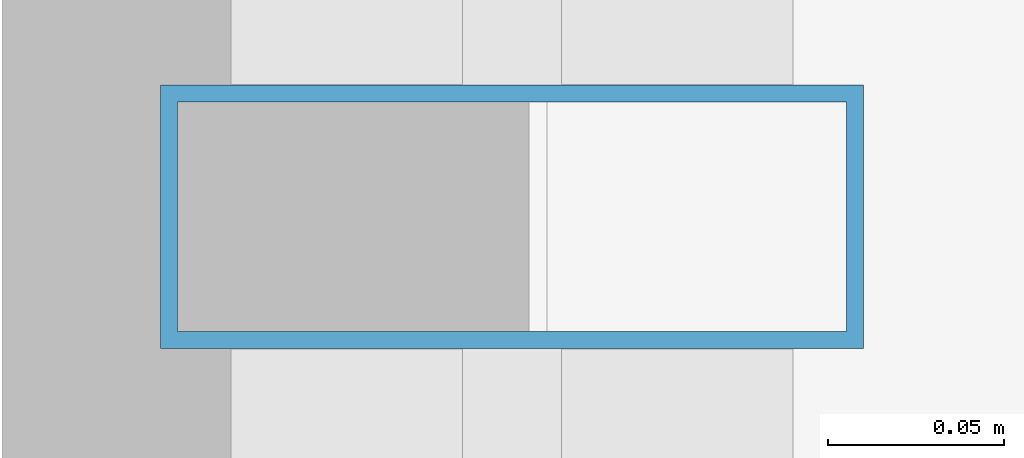
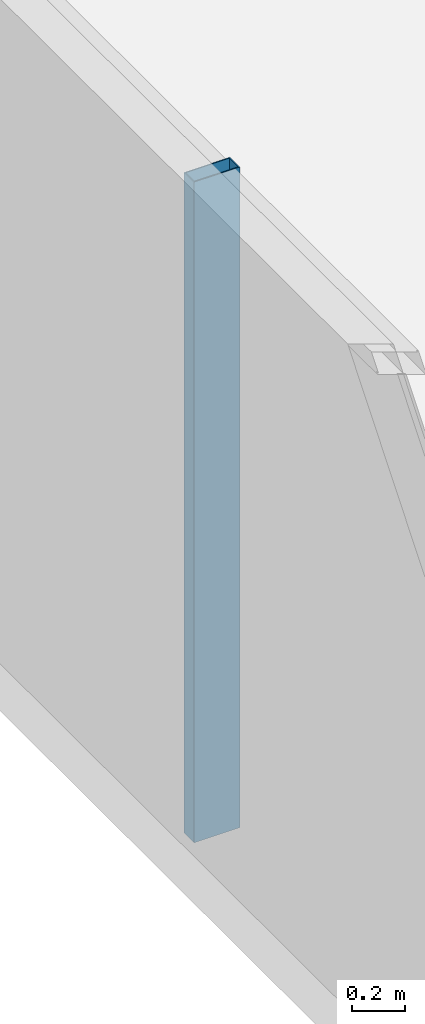
# One storey, part 10 of 30: 1 member, 1 element without a shape of its own.
"""IFC4 building model written with IfcOpenShell, lengths in metres."""

from ifc_helpers import new_model, si_unit, direction, frame, origin, origin_2d, place, context, subcontext, project, spatial, hollow_rectangle, extrude, source, transform, mapped, material, layer, layer_set, material_profile, profile_set, type_object, element, aggregate, save


model = new_model("IFC4")

# Units and contexts
model_context = context("Model", 3, precision=1e-05, world=origin(), true_north=direction((0.0, 1.0)))
body_context = subcontext(model_context, "Body", "Model", "MODEL_VIEW")
ifc_project = project(units=[si_unit("LENGTHUNIT", "METRE"), si_unit("AREAUNIT", "SQUARE_METRE"), si_unit("VOLUMEUNIT", "CUBIC_METRE"), si_unit("PLANEANGLEUNIT", "RADIAN"), si_unit("MASSUNIT", "GRAM", prefix="KILO")], contexts=[model_context])

# Site, building, storey
site_placement = place(None, origin())
site = spatial("IfcSite", under=ifc_project, at=site_placement, CompositionType="ELEMENT")
building_placement = place(site_placement, origin())
building = spatial("IfcBuilding", under=site, at=building_placement, Name="Zarnakvel Exchange Tower", CompositionType="ELEMENT")
storey_placement = place(building_placement, frame((0.0, 0.0, 30.699951171875)))
storey = spatial("IfcBuildingStorey", under=building, at=storey_placement, Name="L07", CompositionType="ELEMENT", Elevation=30.699951171875)

# Curtain wall, member
ifc_material = material(Name="Architectural Bronze Anodised Aluminium", Category="aluminium")
ifc_layer = layer(ifc_material, 0.199951171875)
ifc_layer_set = layer_set([ifc_layer], Name="Architectural Bronze Anodised Aluminium")
curtain_wall_type = type_object("IfcCurtainWallType", Name="CW-04", PredefinedType="NOTDEFINED", material=ifc_layer_set)
curtain_wall_placement = place(storey_placement, origin())
curtain_wall = element("IfcCurtainWall", 1, at=curtain_wall_placement, inside=storey, type_object=curtain_wall_type, Name="L07 Curtain Wall CW-L07-W1 (CW-04)", PredefinedType="NOTDEFINED")
ifc_material_profile = material_profile(ifc_material, hollow_rectangle(XDim=0.199951171875, YDim=0.074951171875, WallThickness=0.0048828125, at=origin_2d()))
ifc_profile_set = profile_set([ifc_material_profile], Name="Architectural Bronze Anodised Aluminium")
member_type = type_object("IfcMemberType", Name="CWM-04", PredefinedType="MULLION", material=ifc_profile_set)
shared_shape = source(origin(), body_context, "Body", "SweptSolid", [
    extrude(hollow_rectangle(XDim=0.199951171875, YDim=0.074951171875, WallThickness=0.0048828125, at=origin_2d()), origin(), (0.0, 0.0, 1.0), 3.054931640625),
])
member_placement = place(storey_placement, frame((-32.4599609375, 7.5, 0.0), z_axis=(0.0, 0.0, 1.0), x_axis=(-1.0, 0.0, 0.0)))
member = element("IfcMember", 2, at=member_placement, type_object=member_type, Name="CW-04 mullion 4", PredefinedType="MULLION", context=body_context, shape_type="MappedRepresentation", body=[
    mapped(shared_shape, transform((0.0, 0.0, 0.0), x_axis=(1.0, 0.0, 0.0), y_axis=(0.0, 1.0, 0.0), z_axis=(0.0, 0.0, 1.0), scale=1.0)),
])
aggregate(curtain_wall, [member])

save(model, "model.ifc")
